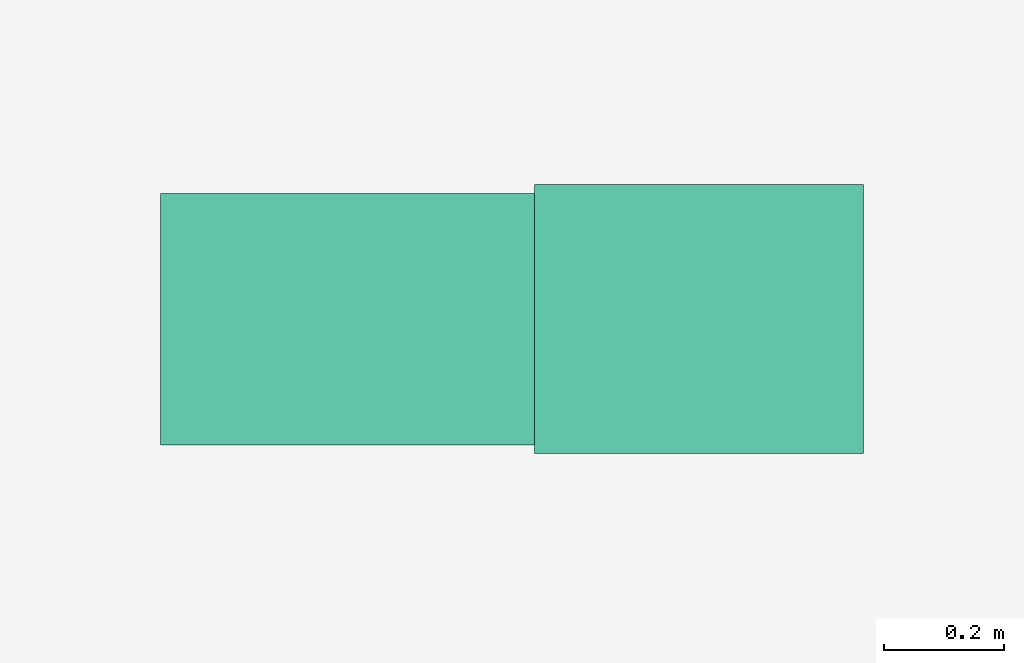
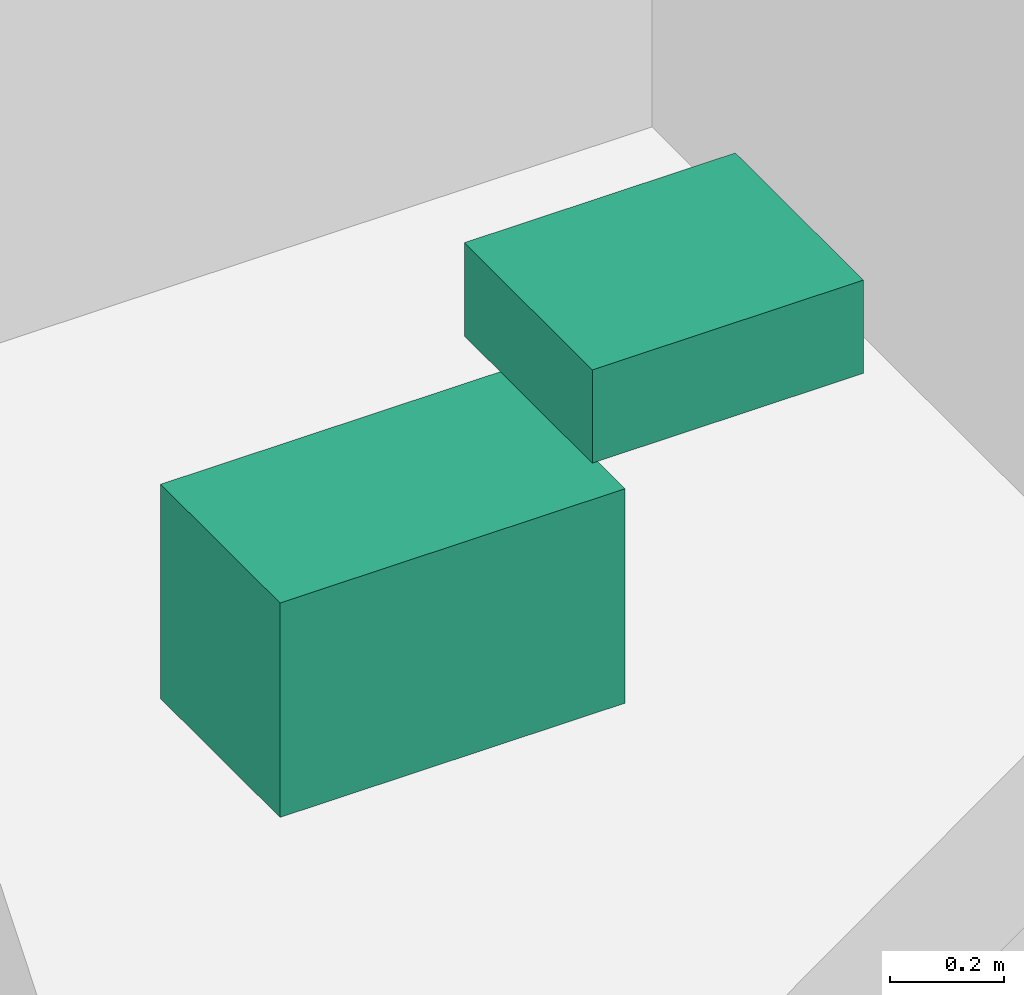
# One storey, part 18 of 18: 2 sanitary terminals.
"""IFC4 building model written with IfcOpenShell, lengths in metres."""

from ifc_helpers import new_model, si_unit, direction, frame, origin, origin_2d, place, context, subcontext, project, spatial, rectangle, extrude, material, type_object, element, save


model = new_model("IFC4")

# Units and contexts
model_context = context("Model", 3, precision=1e-05, world=origin(), true_north=direction((0.0, 1.0)))
body_context = subcontext(model_context, "Body", "Model", "MODEL_VIEW")
ifc_project = project(units=[si_unit("LENGTHUNIT", "METRE"), si_unit("AREAUNIT", "SQUARE_METRE"), si_unit("VOLUMEUNIT", "CUBIC_METRE"), si_unit("PLANEANGLEUNIT", "RADIAN"), si_unit("MASSUNIT", "GRAM", prefix="KILO")], contexts=[model_context])

# Site, building, storey
site_placement = place(None, origin())
site = spatial("IfcSite", under=ifc_project, at=site_placement, CompositionType="ELEMENT")
building_placement = place(site_placement, origin())
building = spatial("IfcBuilding", under=site, at=building_placement, Name="Surkhivell Harbour Commons", CompositionType="ELEMENT")
storey_placement = place(building_placement, frame((0.0, 0.0, 360.0)))
storey = spatial("IfcBuildingStorey", under=building, at=storey_placement, Name="L93", CompositionType="ELEMENT", Elevation=360.0)

# Sanitary terminals
ifc_material_1 = material(Name="Vitreous china washbasin", Category="other")
sanitary_terminal_type_1 = type_object("IfcSanitaryTerminalType", Name="SAN-BSN", PredefinedType="WASHHANDBASIN", material=ifc_material_1)
sanitary_terminal_1_placement = place(storey_placement, frame((1.89990234375, 2.89990234375, 0.72021484375), z_axis=(0.0, 0.0, 1.0), x_axis=(1.0, 0.0, 0.0)))
element("IfcSanitaryTerminal", 1, at=sanitary_terminal_1_placement, inside=storey, type_object=sanitary_terminal_type_1, Name="L93 Core Accessible WC Washbasin", PredefinedType="WASHHANDBASIN", context=body_context, shape_type="SweptSolid", body=[
    extrude(rectangle(XDim=0.550048828125, YDim=0.449951171875, at=origin_2d()), origin(), (0.0, 0.0, 1.0), 0.199951171875),
])
ifc_material_2 = material(Name="Vitreous china sanitaryware", Category="other")
sanitary_terminal_type_2 = type_object("IfcSanitaryTerminalType", Name="SAN-WC-ACC", PredefinedType="TOILETPAN", material=ifc_material_2)
sanitary_terminal_2_placement = place(storey_placement, frame((1.35009765625, 2.89990234375, 0.169921875), z_axis=(0.0, 0.0, 1.0), x_axis=(1.0, 0.0, 0.0)))
element("IfcSanitaryTerminal", 2, at=sanitary_terminal_2_placement, inside=storey, type_object=sanitary_terminal_type_2, Name="L93 Core Accessible WC", PredefinedType="TOILETPAN", context=body_context, shape_type="SweptSolid", body=[
    extrude(rectangle(XDim=0.699951171875, YDim=0.419921875, at=origin_2d()), origin(), (0.0, 0.0, 1.0), 0.4599609375),
])

save(model, "model.ifc")
